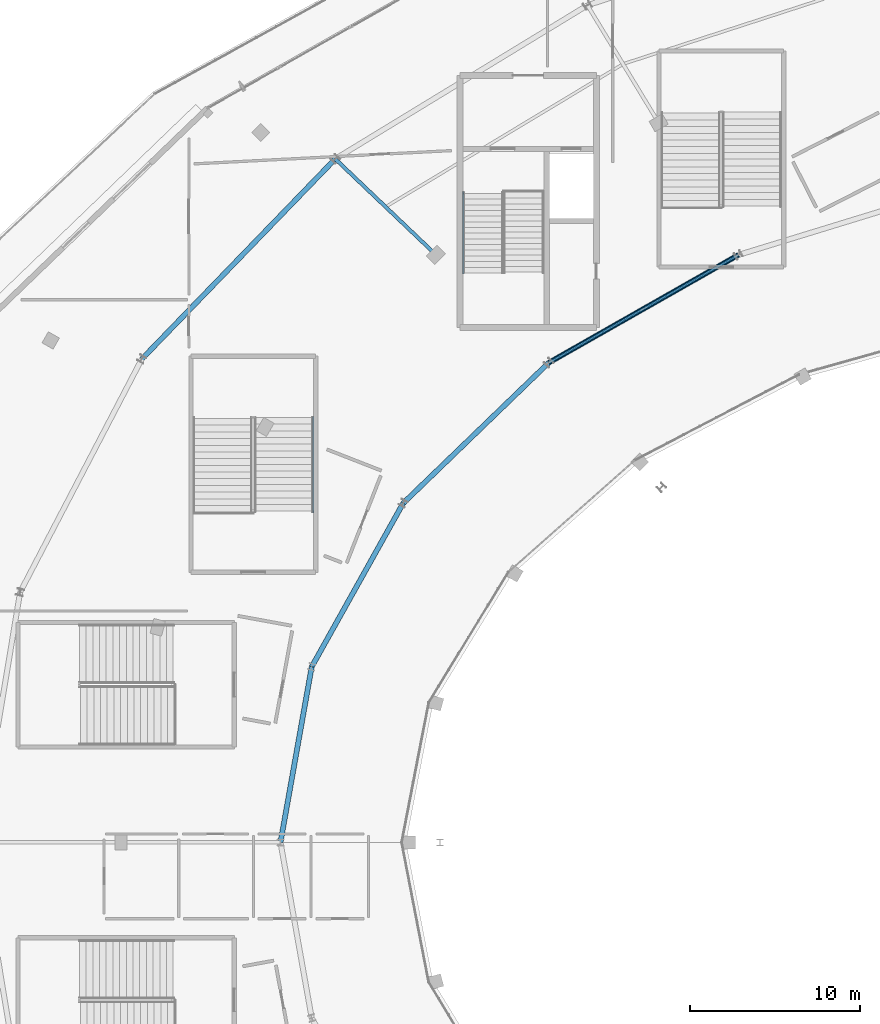
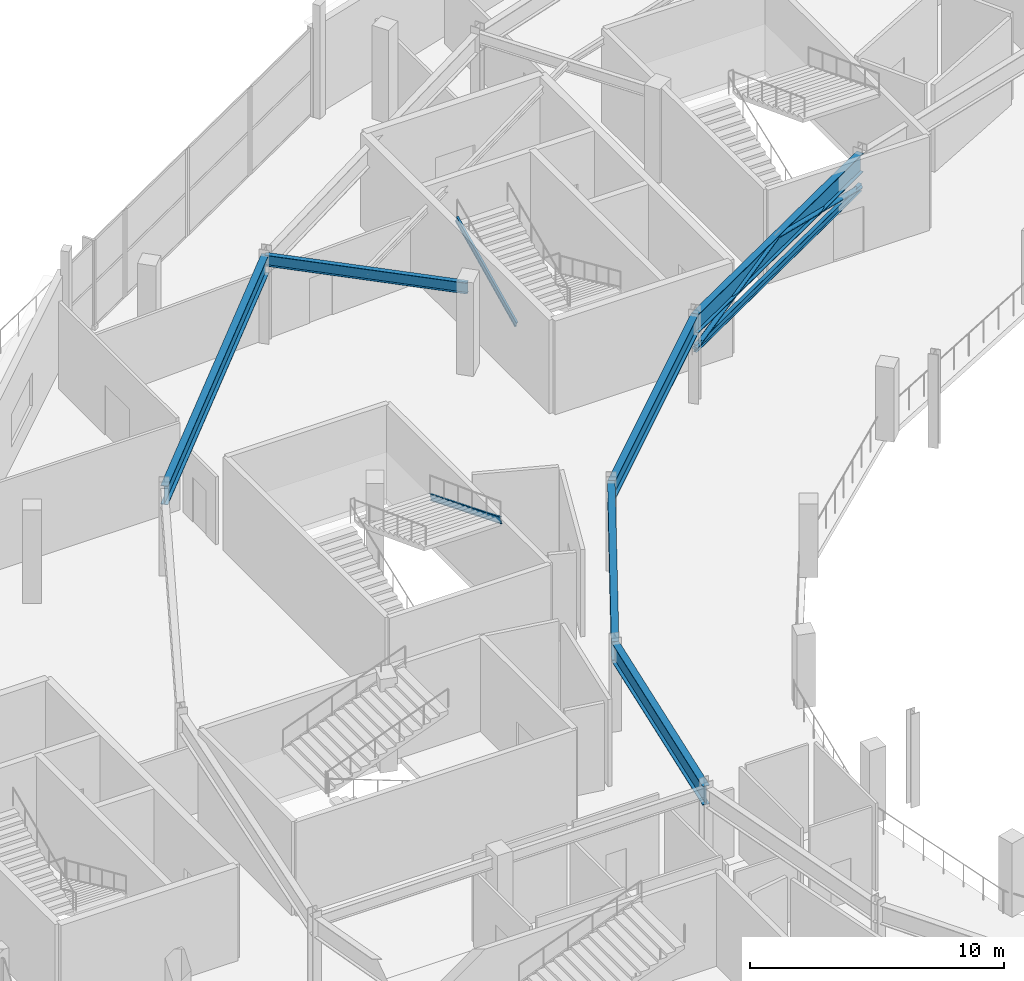
# One storey, part 43 of 123: 7 beams, 4 members.
"""IFC4 building model written with IfcOpenShell, lengths in metres."""

from ifc_helpers import new_model, si_unit, direction, frame, origin, origin_2d, place, context, subcontext, project, spatial, hollow_circle, i_section, extrude, material, material_profile, profile_set, type_object, element, save


model = new_model("IFC4")

# Units and contexts
model_context = context("Model", 3, precision=1e-05, world=origin(), true_north=direction((0.0, 1.0)))
body_context = subcontext(model_context, "Body", "Model", "MODEL_VIEW")
ifc_project = project(units=[si_unit("LENGTHUNIT", "METRE"), si_unit("AREAUNIT", "SQUARE_METRE"), si_unit("VOLUMEUNIT", "CUBIC_METRE"), si_unit("PLANEANGLEUNIT", "RADIAN"), si_unit("MASSUNIT", "GRAM", prefix="KILO")], contexts=[model_context])

# Site, building, storey
site_placement = place(None, origin())
site = spatial("IfcSite", under=ifc_project, at=site_placement, CompositionType="ELEMENT")
building_placement = place(site_placement, origin())
building = spatial("IfcBuilding", under=site, at=building_placement, Name="Kalgoora Escarpment Arena", CompositionType="ELEMENT")
storey_placement = place(building_placement, frame((0.0, 0.0, 9.89990234375)))
storey = spatial("IfcBuildingStorey", under=building, at=storey_placement, Name="L02", CompositionType="ELEMENT", Elevation=9.89990234375)

# Beams
ifc_material_1 = material(Name="Structural steel AS/NZS 3679 (300 MPa)", Category="steel")
ifc_material_profile_1 = material_profile(ifc_material_1, i_section(OverallWidth=0.1708984375, OverallDepth=0.35205078125, WebThickness=0.0068359375, FlangeThickness=0.009765625, at=origin_2d()))
ifc_profile_set_1 = profile_set([ifc_material_profile_1], Name="Structural steel AS/NZS 3679 (300 MPa)")
beam_type_1 = type_object("IfcBeamType", Name="BM-BEAM-360UB44.7", PredefinedType="BEAM", material=ifc_profile_set_1)
beam_1_placement = place(storey_placement, frame((65.39990234375, 98.64111328125, 2.524169921875), z_axis=(-0.869369098708, -0.494163303182, 0.0), x_axis=(0.494163303182, -0.869369098708, 0.0)))
element("IfcBeam", 1, at=beam_1_placement, inside=storey, type_object=beam_type_1, Name="L02 Portal brace collector beam 360UB44.7", PredefinedType="BEAM", context=body_context, shape_type="SweptSolid", body=[
    extrude(i_section(OverallWidth=0.1708984375, OverallDepth=0.35205078125, WebThickness=0.0068359375, FlangeThickness=0.009765625, at=origin_2d()), origin(), (0.0, 0.0, 1.0), 12.864013671875),
])
ifc_material_2 = material(Name="Structural steel AS/NZS 3679 (300 MPa)", Category="steel")
ifc_material_profile_2 = material_profile(ifc_material_2, i_section(OverallWidth=0.208984375, OverallDepth=0.528076171875, WebThickness=0.009521484375, FlangeThickness=0.01318359375, at=origin_2d()))
ifc_profile_set_2 = profile_set([ifc_material_profile_2], Name="Structural steel AS/NZS 3679 (300 MPa)")
beam_type_2 = type_object("IfcBeamType", Name="BM-GIRDER-530UB82.0", PredefinedType="USERDEFINED", material=ifc_profile_set_2)
beam_2_placement = place(storey_placement, frame((47.5693359375, 98.648193359375, 3.926025390625), z_axis=(-0.724130144905, 0.689663347757, 0.0), x_axis=(-0.689663347757, -0.724130144905, 0.0)))
element("IfcBeam", 2, at=beam_2_placement, inside=storey, type_object=beam_type_2, Name="L02 Radial concourse girder 530UB82.0", ObjectType="GIRDER", PredefinedType="USERDEFINED", context=body_context, shape_type="SweptSolid", body=[
    extrude(i_section(OverallWidth=0.208984375, OverallDepth=0.528076171875, WebThickness=0.009521484375, FlangeThickness=0.01318359375, at=origin_2d()), origin(), (0.0, 0.0, 1.0), 8.20263671875),
])
ifc_material_3 = material(Name="Structural steel Grade 350 (350 MPa)", Category="steel")
ifc_material_profile_3 = material_profile(ifc_material_3, i_section(OverallWidth=0.300048828125, OverallDepth=0.909912109375, WebThickness=0.011962890625, FlangeThickness=0.028076171875, at=origin_2d()))
ifc_profile_set_3 = profile_set([ifc_material_profile_3], Name="Structural steel Grade 350 (350 MPa)")
beam_type_3 = type_object("IfcBeamType", Name="BM-GIRDER-900WB218", PredefinedType="USERDEFINED", material=ifc_profile_set_3)
beam_3_placement = place(storey_placement, frame((65.39990234375, 98.64111328125, 3.735107421875), z_axis=(-0.869369098708, -0.494163303182, 0.0), x_axis=(0.494163303182, -0.869369098708, 0.0)))
element("IfcBeam", 3, at=beam_3_placement, inside=storey, type_object=beam_type_3, Name="L02 Circumferential concourse girder RMAIN 900WB218", ObjectType="GIRDER", PredefinedType="USERDEFINED", context=body_context, shape_type="SweptSolid", body=[
    extrude(i_section(OverallWidth=0.300048828125, OverallDepth=0.909912109375, WebThickness=0.011962890625, FlangeThickness=0.028076171875, at=origin_2d()), origin(), (0.0, 0.0, 1.0), 12.864013671875),
])
beam_4_placement = place(storey_placement, frame((54.21630859375, 92.2841796875, 3.735107421875), z_axis=(-0.719471992915, -0.694521454968, 0.0), x_axis=(0.694521454968, -0.719471992915, 0.0)))
element("IfcBeam", 4, at=beam_4_placement, inside=storey, type_object=beam_type_3, Name="L02 Circumferential concourse girder RMAIN 900WB218", ObjectType="GIRDER", PredefinedType="USERDEFINED", context=body_context, shape_type="SweptSolid", body=[
    extrude(i_section(OverallWidth=0.300048828125, OverallDepth=0.909912109375, WebThickness=0.011962890625, FlangeThickness=0.028076171875, at=origin_2d()), origin(), (0.0, 0.0, 1.0), 11.927978515625),
])
beam_5_placement = place(storey_placement, frame((45.634521484375, 84.0, 3.735107421875), z_axis=(-0.488058469962, -0.872810935941, 0.0), x_axis=(0.872810935941, -0.488058469962, 0.0)))
element("IfcBeam", 5, at=beam_5_placement, inside=storey, type_object=beam_type_3, Name="L02 Circumferential concourse girder RMAIN 900WB218", ObjectType="GIRDER", PredefinedType="USERDEFINED", context=body_context, shape_type="SweptSolid", body=[
    extrude(i_section(OverallWidth=0.300048828125, OverallDepth=0.909912109375, WebThickness=0.011962890625, FlangeThickness=0.028076171875, at=origin_2d()), origin(), (0.0, 0.0, 1.0), 11.052978515625),
])
beam_6_placement = place(storey_placement, frame((40.239990234375, 74.352783203125, 3.735107421875), z_axis=(-0.174995823084, -0.984569175784, 0.0), x_axis=(0.984569175784, -0.174995823084, 0.0)))
element("IfcBeam", 6, at=beam_6_placement, inside=storey, type_object=beam_type_3, Name="L02 Circumferential concourse girder RMAIN 900WB218", ObjectType="GIRDER", PredefinedType="USERDEFINED", context=body_context, shape_type="SweptSolid", body=[
    extrude(i_section(OverallWidth=0.300048828125, OverallDepth=0.909912109375, WebThickness=0.011962890625, FlangeThickness=0.028076171875, at=origin_2d()), origin(), (0.0, 0.0, 1.0), 10.51513671875),
])
ifc_material_4 = material(Name="Structural steel Grade 350 (350 MPa)", Category="steel")
ifc_material_profile_4 = material_profile(ifc_material_4, i_section(OverallWidth=0.300048828125, OverallDepth=0.909912109375, WebThickness=0.011962890625, FlangeThickness=0.028076171875, at=origin_2d()))
ifc_profile_set_4 = profile_set([ifc_material_profile_4], Name="Structural steel Grade 350 (350 MPa)")
beam_type_4 = type_object("IfcBeamType", Name="BM-SPANDREL-900WB218", PredefinedType="SPANDREL", material=ifc_profile_set_4)
beam_7_placement = place(storey_placement, frame((41.629638671875, 104.30517578125, 3.735107421875), z_axis=(-0.694974435465, -0.719034445663, 0.0), x_axis=(0.719034445663, -0.694974435465, 0.0)))
element("IfcBeam", 7, at=beam_7_placement, inside=storey, type_object=beam_type_4, Name="L02 Circumferential concourse girder RCONC2 900WB218", PredefinedType="SPANDREL", context=body_context, shape_type="SweptSolid", body=[
    extrude(i_section(OverallWidth=0.300048828125, OverallDepth=0.909912109375, WebThickness=0.011962890625, FlangeThickness=0.028076171875, at=origin_2d()), origin(), (0.0, 0.0, 1.0), 16.418212890625),
])

# Members
ifc_material_5 = material(Name="Structural steel C350 (350 MPa)", Category="steel")
ifc_material_profile_5 = material_profile(ifc_material_5, hollow_circle(Radius=0.109619140625, WallThickness=0.00830078125, at=origin_2d()))
ifc_profile_set_5 = profile_set([ifc_material_profile_5], Name="Structural steel C350 (350 MPa)")
member_type_1 = type_object("IfcMemberType", Name="MEM-BRACE-CHS219", PredefinedType="BRACE", material=ifc_profile_set_5)
for number, where, z_axis, x_axis, name in (
    (8, (65.39990234375, 98.64111328125, 2.52001953125), (-0.845769222656, -0.480748756102, 0.231419652392), (0.494163303182, -0.869369098708, 0.0), "L02 concentric lateral brace R09-1"),
    (9, (54.21630859375, 92.2841796875, 2.52001953125), (0.845769222656, 0.480748756102, 0.231419652392), (-0.494163303182, 0.869369098708, 0.0), "L02 concentric lateral brace R09-2"),
):
    element("IfcMember", number, at=place(storey_placement, frame(where, z_axis=z_axis, x_axis=x_axis)), inside=storey, type_object=member_type_1, Name=name, PredefinedType="BRACE", context=body_context, shape_type="SweptSolid", body=[
        extrude(hollow_circle(Radius=0.109619140625, WallThickness=0.00830078125, at=origin_2d()), origin(), (0.0, 0.0, 1.0), 6.611572265625),
    ])
ifc_material_6 = material(Name="Structural steel AS/NZS 3679 (300 MPa)", Category="steel")
ifc_material_profile_6 = material_profile(ifc_material_6, i_section(OverallWidth=0.090087890625, OverallDepth=0.300048828125, WebThickness=0.008056640625, FlangeThickness=0.01611328125, at=origin_2d()))
ifc_profile_set_6 = profile_set([ifc_material_profile_6], Name="Structural steel AS/NZS 3679 (300 MPa)")
member_type_2 = type_object("IfcMemberType", Name="MEM-STRINGER-PFC", PredefinedType="STRINGER", material=ifc_profile_set_6)
member_1_placement = place(storey_placement, frame((49.169921875, 97.590087890625, 2.210205078125), z_axis=(0.0, 0.902682652253, 0.430306901317), x_axis=(-1.0, 0.0, 0.0)))
element("IfcMember", 10, at=member_1_placement, inside=storey, type_object=member_type_2, Name="ST03 L02 steel stair stringer 2", PredefinedType="STRINGER", context=body_context, shape_type="SweptSolid", body=[
    extrude(i_section(OverallWidth=0.090087890625, OverallDepth=0.300048828125, WebThickness=0.008056640625, FlangeThickness=0.01611328125, at=origin_2d()), origin(), (0.0, 0.0, 1.0), 5.228759765625),
])
member_2_placement = place(storey_placement, frame((40.330078125, 89.050048828125, 2.210205078125), z_axis=(0.0, -0.926975796404, 0.375121144273), x_axis=(1.0, 0.0, 0.0)))
element("IfcMember", 11, at=member_2_placement, inside=storey, type_object=member_type_2, Name="ST19 L02 steel stair stringer 2", PredefinedType="STRINGER", context=body_context, shape_type="SweptSolid", body=[
    extrude(i_section(OverallWidth=0.090087890625, OverallDepth=0.300048828125, WebThickness=0.008056640625, FlangeThickness=0.01611328125, at=origin_2d()), origin(), (0.0, 0.0, 1.0), 5.998046875),
])

save(model, "model.ifc")
